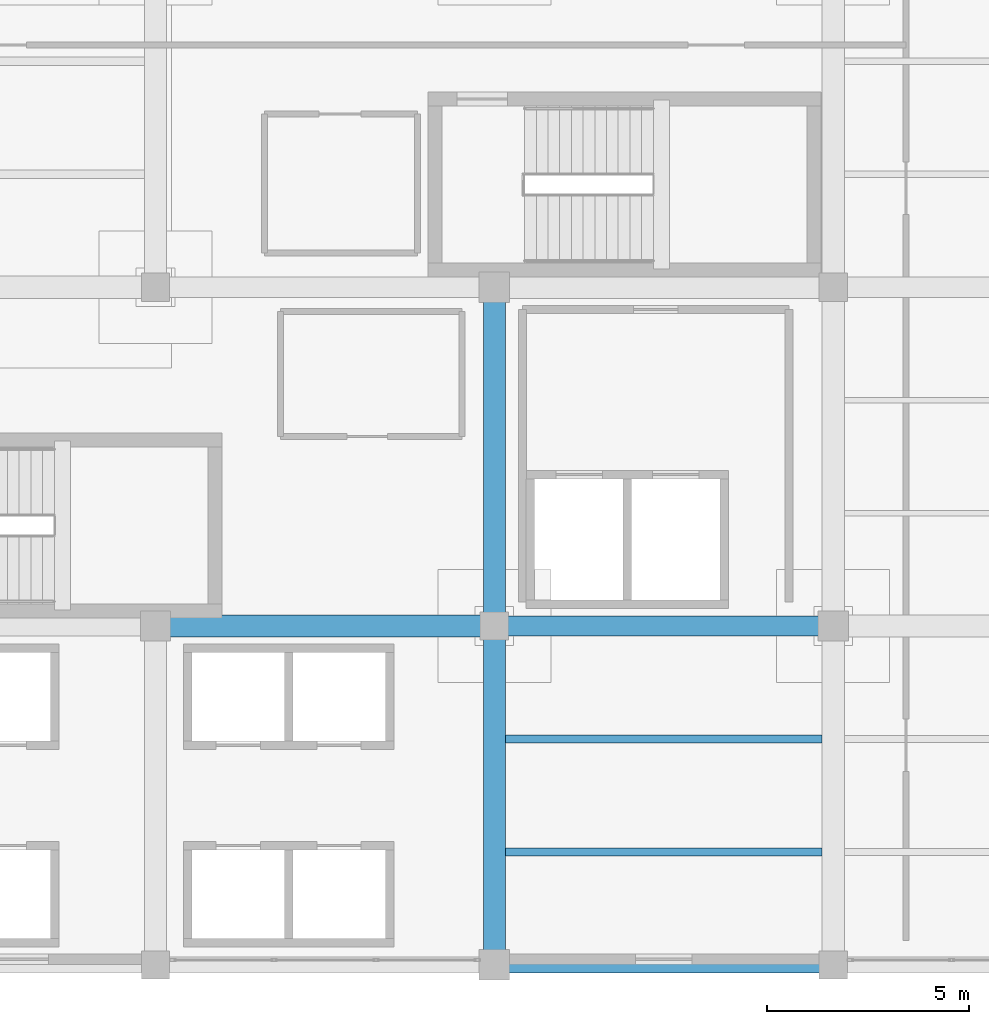
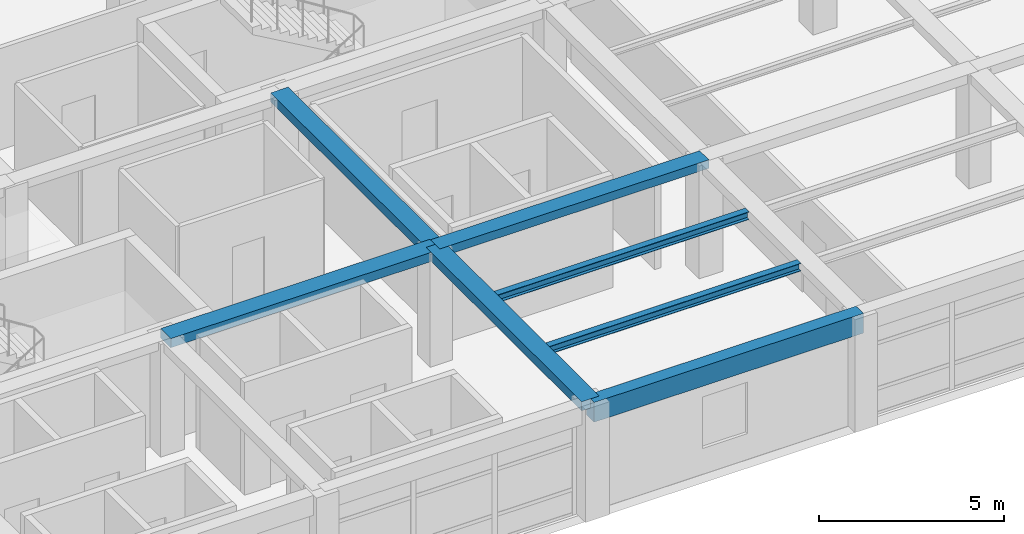
# One storey, part 5 of 26: 7 beams.
"""IFC4 building model written with IfcOpenShell, lengths in metres."""

from ifc_helpers import new_model, si_unit, direction, frame, origin, origin_2d, place, context, subcontext, project, spatial, rectangle, i_section, extrude, material, material_profile, profile_set, type_object, element, save


model = new_model("IFC4")

# Units and contexts
model_context = context("Model", 3, precision=1e-05, world=origin(), true_north=direction((0.0, 1.0)))
body_context = subcontext(model_context, "Body", "Model", "MODEL_VIEW")
ifc_project = project(units=[si_unit("LENGTHUNIT", "METRE"), si_unit("AREAUNIT", "SQUARE_METRE"), si_unit("VOLUMEUNIT", "CUBIC_METRE"), si_unit("PLANEANGLEUNIT", "RADIAN"), si_unit("MASSUNIT", "GRAM", prefix="KILO")], contexts=[model_context])

# Site, building, storey
site_placement = place(None, origin())
site = spatial("IfcSite", under=ifc_project, at=site_placement, CompositionType="ELEMENT")
building_placement = place(site_placement, origin())
building = spatial("IfcBuilding", under=site, at=building_placement, Name="Almacenes y Pasaje Nevantli", CompositionType="ELEMENT")
storey_placement = place(building_placement, frame((0.0, 0.0, 38.699951171875)))
storey = spatial("IfcBuildingStorey", under=building, at=storey_placement, Name="L09", CompositionType="ELEMENT", Elevation=38.699951171875)

# Beams
ifc_material_1 = material(Name="Concrete C35/45", Category="concrete")
ifc_material_profile_1 = material_profile(ifc_material_1, rectangle(XDim=0.39990234375, YDim=0.64990234375, at=origin_2d()), Name="RC-BM-400x650")
ifc_profile_set_1 = profile_set([ifc_material_profile_1], Name="Concrete C35/45")
beam_type_1 = type_object("IfcBeamType", Name="BM-RC-400x650", PredefinedType="SPANDREL", material=ifc_profile_set_1)
beam_1_placement = place(storey_placement, frame((134.39990234375, 67.199951171875, 3.39501953125), z_axis=(1.0, 0.0, 0.0), x_axis=(0.0, 1.0, 0.0)))
element("IfcBeam", 1, at=beam_1_placement, inside=storey, type_object=beam_type_1, Name="L09 East-West Reinforced Concrete Beam #3744", PredefinedType="SPANDREL", context=body_context, shape_type="SweptSolid", body=[
    extrude(rectangle(XDim=0.39990234375, YDim=0.64990234375, at=origin_2d()), origin(), (0.0, 0.0, 1.0), 8.400146484375),
])
ifc_material_2 = material(Name="Concrete C35/45", Category="concrete")
ifc_material_profile_2 = material_profile(ifc_material_2, rectangle(XDim=0.5, YDim=0.280029296875, at=origin_2d()), Name="RC-BM-500x280")
ifc_profile_set_2 = profile_set([ifc_material_profile_2], Name="Concrete C35/45")
beam_type_2 = type_object("IfcBeamType", Name="BM-RC-500x280", PredefinedType="BEAM", material=ifc_profile_set_2)
beam_2_placement = place(storey_placement, frame((134.39990234375, 75.60009765625, 3.580078125), z_axis=(1.0, 0.0, 0.0), x_axis=(0.0, 1.0, 0.0)))
element("IfcBeam", 2, at=beam_2_placement, inside=storey, type_object=beam_type_2, Name="L09 East-West Reinforced Concrete Beam #3750", PredefinedType="BEAM", context=body_context, shape_type="SweptSolid", body=[
    extrude(rectangle(XDim=0.5, YDim=0.280029296875, at=origin_2d()), origin(), (0.0, 0.0, 1.0), 8.400146484375),
])
ifc_material_3 = material(Name="Concrete C35/45", Category="concrete")
ifc_material_profile_3 = material_profile(ifc_material_3, rectangle(XDim=0.550048828125, YDim=0.300048828125, at=origin_2d()), Name="RC-BM-550x300")
ifc_profile_set_3 = profile_set([ifc_material_profile_3], Name="Concrete C35/45")
beam_type_3 = type_object("IfcBeamType", Name="BM-RC-550x300", PredefinedType="BEAM", material=ifc_profile_set_3)
beam_3_placement = place(storey_placement, frame((126.0, 75.60009765625, 3.570068359375), z_axis=(1.0, 0.0, 0.0), x_axis=(0.0, 1.0, 0.0)))
element("IfcBeam", 3, at=beam_3_placement, inside=storey, type_object=beam_type_3, Name="L09 East-West Reinforced Concrete Beam #3749", PredefinedType="BEAM", context=body_context, shape_type="SweptSolid", body=[
    extrude(rectangle(XDim=0.550048828125, YDim=0.300048828125, at=origin_2d()), origin(), (0.0, 0.0, 1.0), 8.39990234375),
])
beam_4_placement = place(storey_placement, frame((134.39990234375, 67.199951171875, 3.570068359375), z_axis=(0.0, 1.0, 0.0), x_axis=(-1.0, 0.0, 0.0)))
element("IfcBeam", 4, at=beam_4_placement, inside=storey, type_object=beam_type_3, Name="L09 North-South Reinforced Concrete Beam #3782", PredefinedType="BEAM", context=body_context, shape_type="SweptSolid", body=[
    extrude(rectangle(XDim=0.550048828125, YDim=0.300048828125, at=origin_2d()), origin(), (0.0, 0.0, 1.0), 8.400146484375),
])
beam_5_placement = place(storey_placement, frame((134.39990234375, 75.60009765625, 3.570068359375), z_axis=(0.0, 1.0, 0.0), x_axis=(-1.0, 0.0, 0.0)))
element("IfcBeam", 5, at=beam_5_placement, inside=storey, type_object=beam_type_3, Name="L09 North-South Reinforced Concrete Beam #3783", PredefinedType="BEAM", context=body_context, shape_type="SweptSolid", body=[
    extrude(rectangle(XDim=0.550048828125, YDim=0.300048828125, at=origin_2d()), origin(), (0.0, 0.0, 1.0), 8.39990234375),
])
ifc_material_4 = material(Name="Steel ASTM A992", Category="steel")
ifc_material_profile_4 = material_profile(ifc_material_4, i_section(OverallWidth=0.2041015625, OverallDepth=0.258056640625, WebThickness=0.008056640625, FlangeThickness=0.013427734375, at=origin_2d()), Name="IR 254x58.0")
ifc_profile_set_4 = profile_set([ifc_material_profile_4], Name="Steel ASTM A992")
beam_type_4 = type_object("IfcBeamType", Name="BM-STL-IR-254x58p0", PredefinedType="JOIST", material=ifc_profile_set_4)
for number, where, z_axis, x_axis, name in (
    (6, (134.675048828125, 70.0, 3.5830078125), (1.0, 0.0, 0.0), (0.0, 1.0, 0.0), "L09 Secondary Steel Floor Joist #1469"),
    (7, (134.675048828125, 72.800048828125, 3.5830078125), (1.0, 0.0, 0.0), (0.0, 1.0, 0.0), "L09 Secondary Steel Floor Joist #1470"),
):
    element("IfcBeam", number, at=place(storey_placement, frame(where, z_axis=z_axis, x_axis=x_axis)), inside=storey, type_object=beam_type_4, Name=name, PredefinedType="JOIST", context=body_context, shape_type="SweptSolid", body=[
        extrude(i_section(OverallWidth=0.2041015625, OverallDepth=0.258056640625, WebThickness=0.008056640625, FlangeThickness=0.013427734375, at=origin_2d()), origin(), (0.0, 0.0, 1.0), 7.849853515625),
    ])

save(model, "model.ifc")
